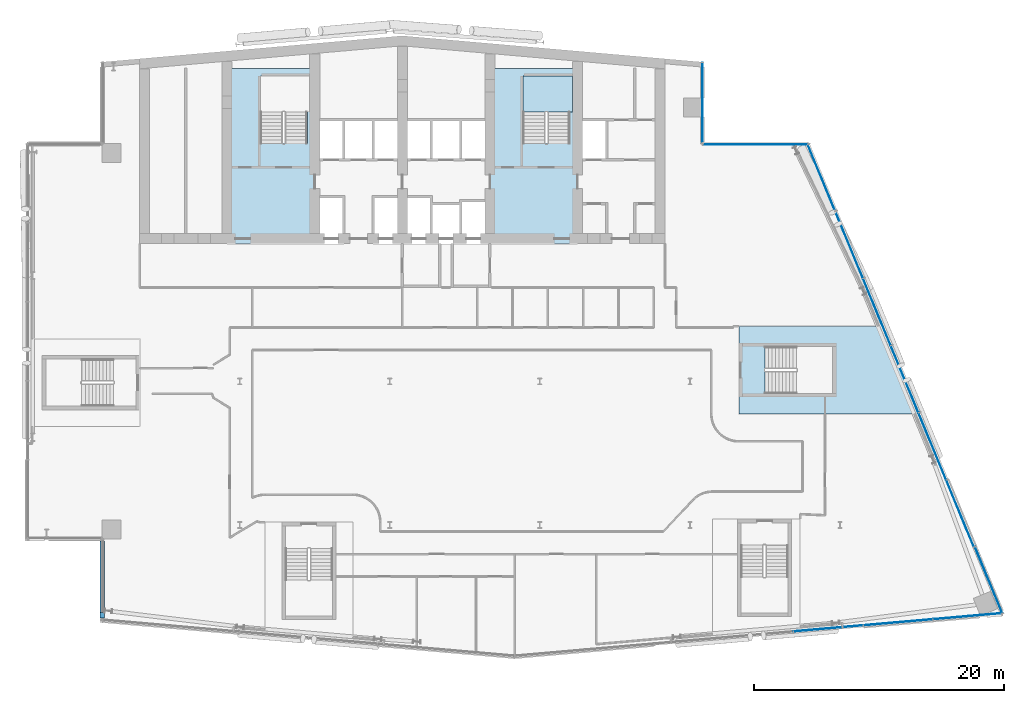
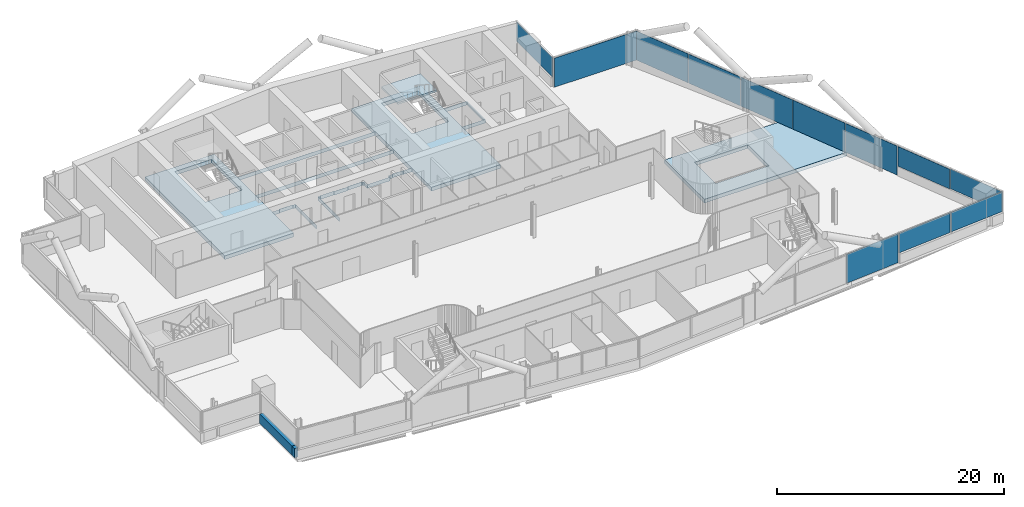
# One storey, part 14 of 29: 12 plates, 3 slabs, 2 walls, 5 elements without a shape of their own.
"""IFC4 building model written with IfcOpenShell, lengths in metres."""

from ifc_helpers import new_model, si_unit, direction, frame, frame_2d, origin, origin_2d, place, context, subcontext, project, spatial, polyline, rectangle, outline, extrude, material, layer, layer_set, type_object, element, aggregate, save


model = new_model("IFC4")

# Units and contexts
model_context = context("Model", 3, precision=1e-05, world=origin(), true_north=direction((0.0, 1.0)))
body_context = subcontext(model_context, "Body", "Model", "MODEL_VIEW")
ifc_project = project(units=[si_unit("LENGTHUNIT", "METRE"), si_unit("AREAUNIT", "SQUARE_METRE"), si_unit("VOLUMEUNIT", "CUBIC_METRE"), si_unit("PLANEANGLEUNIT", "RADIAN"), si_unit("MASSUNIT", "GRAM", prefix="KILO")], contexts=[model_context])

# Site, building, storey
site_placement = place(None, origin())
site = spatial("IfcSite", under=ifc_project, at=site_placement, CompositionType="ELEMENT")
building_placement = place(site_placement, origin())
building = spatial("IfcBuilding", under=site, at=building_placement, Name="Wharfspan Tower", CompositionType="ELEMENT")
storey_placement = place(building_placement, frame((0.0, 0.0, 162.699951)))
storey = spatial("IfcBuildingStorey", under=building, at=storey_placement, Name="L39", CompositionType="ELEMENT", Elevation=162.699951)

# Curtain wall, plates
ifc_material_1 = material(Name="Aluminium 6063-T6", Category="aluminium")
curtain_wall_type_1 = type_object("IfcCurtainWallType", Name="CURTAIN WALL FACETED FRONT", PredefinedType="NOTDEFINED", material=ifc_material_1)
curtain_wall_1_placement = place(storey_placement, origin())
curtain_wall_1 = element("IfcCurtainWall", 1, at=curtain_wall_1_placement, inside=storey, type_object=curtain_wall_type_1, Name="Curtain wall S2", PredefinedType="NOTDEFINED")
ifc_material_2 = material(Name="Glass clear low-iron double glazing", Category="glass")
ifc_layer_1 = layer(ifc_material_2, 0.040039)
ifc_layer_set_1 = layer_set([ifc_layer_1], Name="Glass clear low-iron double glazing")
plate_type_1 = type_object("IfcPlateType", Name="GLASS PANEL FACETED FRONT 40", PredefinedType="CURTAIN_PANEL", material=ifc_layer_set_1)
plate_1_placement = place(storey_placement, frame((76.637695, 3.728516, 1.0), z_axis=(0.0, 0.0, 1.0), x_axis=(0.996198, 0.087156, 0.0)))
plate_1 = element("IfcPlate", 2, at=plate_1_placement, type_object=plate_type_1, Name="Curtain wall S2 panel 6", PredefinedType="CURTAIN_PANEL", context=body_context, shape_type="SweptSolid", body=[
    extrude(rectangle(XDim=5.532715, YDim=0.040039, at=origin_2d()), origin(), (0.0, 0.0, 1.0), 2.120117),
])
plate_2_placement = place(storey_placement, frame((82.194092, 4.214844, 1.0), z_axis=(0.0, 0.0, 1.0), x_axis=(0.996198, 0.087156, 0.0)))
plate_2 = element("IfcPlate", 3, at=plate_2_placement, type_object=plate_type_1, Name="Curtain wall S2 panel 7", PredefinedType="CURTAIN_PANEL", context=body_context, shape_type="SweptSolid", body=[
    extrude(rectangle(XDim=5.502686, YDim=0.040039, at=origin_2d()), origin(), (0.0, 0.0, 1.0), 2.120117),
])

curtain_wall_type_2 = type_object("IfcCurtainWallType", Name="CURTAIN WALL PROW AND END", PredefinedType="NOTDEFINED", material=ifc_material_1)
curtain_wall_2_placement = place(storey_placement, origin())
curtain_wall_2 = element("IfcCurtainWall", 4, at=curtain_wall_2_placement, inside=storey, type_object=curtain_wall_type_2, Name="Curtain wall E", PredefinedType="NOTDEFINED")
ifc_layer_2 = layer(ifc_material_2, 0.040039)
ifc_layer_set_2 = layer_set([ifc_layer_2], Name="Glass clear low-iron double glazing")
plate_type_2 = type_object("IfcPlateType", Name="GLASS PANEL PROW AND END 40", PredefinedType="CURTAIN_PANEL", material=ifc_layer_set_2)
plate_3_placement = place(storey_placement, frame((83.885498, 7.099609, 1.0), z_axis=(0.0, 0.0, 1.0), x_axis=(-0.381602, 0.924325, 0.0)))
plate_3 = element("IfcPlate", 5, at=plate_3_placement, type_object=plate_type_2, Name="Curtain wall E panel 1", PredefinedType="CURTAIN_PANEL", context=body_context, shape_type="SweptSolid", body=[
    extrude(rectangle(XDim=5.721191, YDim=0.040039, at=origin_2d()), origin(), (0.0, 0.0, 1.0), 2.120117),
])
plate_4_placement = place(storey_placement, frame((81.599609, 12.426514, 1.0), z_axis=(0.0, 0.0, 1.0), x_axis=(-0.381602, 0.924325, 0.0)))
plate_4 = element("IfcPlate", 6, at=plate_4_placement, type_object=plate_type_2, Name="Curtain wall E panel 2", PredefinedType="CURTAIN_PANEL", context=body_context, shape_type="SweptSolid", body=[
    extrude(rectangle(XDim=5.751221, YDim=0.040039, at=origin_2d()), origin(), (0.0, 0.0, 1.0), 2.120117),
])

# Curtain wall, plate
curtain_wall_3_placement = place(storey_placement, origin())
curtain_wall_3 = element("IfcCurtainWall", 7, at=curtain_wall_3_placement, inside=storey, type_object=curtain_wall_type_2, Name="Curtain wall NRE-V", PredefinedType="NOTDEFINED")
plate_5_placement = place(storey_placement, frame((61.0, 45.262451, 1.0), z_axis=(0.0, 0.0, 1.0), x_axis=(0.0, 1.0, 0.0)))
plate_5 = element("IfcPlate", 8, at=plate_5_placement, type_object=plate_type_2, Name="Curtain wall NRE-V panel 1", PredefinedType="CURTAIN_PANEL", context=body_context, shape_type="SweptSolid", body=[
    extrude(rectangle(XDim=6.405029, YDim=0.040039, at=origin_2d()), origin(), (0.0, 0.0, 1.0), 2.120117),
])
aggregate(curtain_wall_3, [plate_5])

# Plate
ifc_material_3 = material(Name="Aluminium composite opaque insulated panel", Category="aluminium")
ifc_layer_3 = layer(ifc_material_3, 0.040039)
ifc_layer_set_3 = layer_set([ifc_layer_3], Name="Aluminium composite opaque insulated panel")
plate_type_3 = type_object("IfcPlateType", Name="INFILL PANEL FACETED FRONT OPAQUE 40", PredefinedType="SHEET", material=ifc_layer_set_3)
plate_6_placement = place(storey_placement, frame((71.066162, 3.241211, 0.0), z_axis=(0.0, 0.0, 1.0), x_axis=(0.996198, 0.087156, 0.0)))
plate_6 = element("IfcPlate", 9, at=plate_6_placement, type_object=plate_type_3, Name="Curtain wall S2 panel 5", PredefinedType="SHEET", context=body_context, shape_type="SweptSolid", body=[
    extrude(rectangle(XDim=5.532715, YDim=0.040039, at=origin_2d()), origin(), (0.0, 0.0, 1.0), 3.120117),
])

aggregate(curtain_wall_1, [plate_6, plate_1, plate_2])

ifc_layer_4 = layer(ifc_material_3, 0.040039)
ifc_layer_set_4 = layer_set([ifc_layer_4], Name="Aluminium composite opaque insulated panel")
plate_type_4 = type_object("IfcPlateType", Name="INFILL PANEL PROW AND END OPAQUE 40", PredefinedType="SHEET", material=ifc_layer_set_4)
plate_7_placement = place(storey_placement, frame((79.38208, 17.798096, 0.0), z_axis=(0.0, 0.0, 1.0), x_axis=(-0.381602, 0.924325, 0.0)))
plate_7 = element("IfcPlate", 10, at=plate_7_placement, type_object=plate_type_4, Name="Curtain wall E panel 3", PredefinedType="SHEET", context=body_context, shape_type="SweptSolid", body=[
    extrude(rectangle(XDim=5.751221, YDim=0.040039, at=origin_2d()), origin(), (0.0, 0.0, 1.0), 3.120117),
])

plate_8_placement = place(storey_placement, frame((77.164551, 23.169434, 0.0), z_axis=(0.0, 0.0, 1.0), x_axis=(-0.381602, 0.924325, 0.0)))
plate_8 = element("IfcPlate", 11, at=plate_8_placement, type_object=plate_type_4, Name="Curtain wall E panel 4", PredefinedType="SHEET", context=body_context, shape_type="SweptSolid", body=[
    extrude(rectangle(XDim=5.751221, YDim=0.040039, at=origin_2d()), origin(), (0.0, 0.0, 1.0), 3.120117),
])

plate_9_placement = place(storey_placement, frame((74.947021, 28.541016, 0.0), z_axis=(0.0, 0.0, 1.0), x_axis=(-0.381602, 0.924325, 0.0)))
plate_9 = element("IfcPlate", 12, at=plate_9_placement, type_object=plate_type_4, Name="Curtain wall E panel 5", PredefinedType="SHEET", context=body_context, shape_type="SweptSolid", body=[
    extrude(rectangle(XDim=5.751221, YDim=0.040039, at=origin_2d()), origin(), (0.0, 0.0, 1.0), 3.120117),
])

plate_10_placement = place(storey_placement, frame((72.729492, 33.912354, 0.0), z_axis=(0.0, 0.0, 1.0), x_axis=(-0.381602, 0.924325, 0.0)))
plate_10 = element("IfcPlate", 13, at=plate_10_placement, type_object=plate_type_4, Name="Curtain wall E panel 6", PredefinedType="SHEET", context=body_context, shape_type="SweptSolid", body=[
    extrude(rectangle(XDim=5.751221, YDim=0.040039, at=origin_2d()), origin(), (0.0, 0.0, 1.0), 3.120117),
])

plate_11_placement = place(storey_placement, frame((70.517578, 39.269775, 0.0), z_axis=(0.0, 0.0, 1.0), x_axis=(-0.381602, 0.924325, 0.0)))
plate_11 = element("IfcPlate", 14, at=plate_11_placement, type_object=plate_type_4, Name="Curtain wall E panel 7", PredefinedType="SHEET", context=body_context, shape_type="SweptSolid", body=[
    extrude(rectangle(XDim=5.721191, YDim=0.040039, at=origin_2d()), origin(), (0.0, 0.0, 1.0), 3.120117),
])

aggregate(curtain_wall_2, [plate_3, plate_4, plate_7, plate_8, plate_9, plate_10, plate_11])

# Curtain wall, plate
curtain_wall_4_placement = place(storey_placement, origin())
curtain_wall_4 = element("IfcCurtainWall", 15, at=curtain_wall_4_placement, inside=storey, type_object=curtain_wall_type_2, Name="Curtain wall NRE-H", PredefinedType="NOTDEFINED")
plate_12_placement = place(storey_placement, frame((65.238525, 41.919922, 0.0), z_axis=(0.0, 0.0, 1.0), x_axis=(-1.0, 0.0, 0.0)))
plate_12 = element("IfcPlate", 16, at=plate_12_placement, type_object=plate_type_4, Name="Curtain wall NRE-H panel 1", PredefinedType="SHEET", context=body_context, shape_type="SweptSolid", body=[
    extrude(rectangle(XDim=8.357178, YDim=0.040039, at=origin_2d()), origin(), (0.0, 0.0, 1.0), 3.120117),
])
aggregate(curtain_wall_4, [plate_12])

# Slabs
ifc_material_4 = material(Name="Concrete C40/50", Category="concrete")
ifc_layer_5 = layer(ifc_material_4, 0.399902)
ifc_layer_set_5 = layer_set([ifc_layer_5], Name="Concrete C40/50")
slab_type_1 = type_object("IfcSlabType", Name="Post-tensioned flat slab 400", PredefinedType="FLOOR", material=ifc_layer_set_5)
slab_1_placement = place(storey_placement, frame((0.0, 0.0, -0.400146)))
element("IfcSlab", 17, at=slab_1_placement, inside=storey, type_object=slab_type_1, Name="Core floor slab L39 part 3", PredefinedType="FLOOR", context=body_context, shape_type="SweptSolid", body=[
    extrude(outline(polyline([(23.0, 34.0), (29.998047, 34.0), (29.998047, 37.75), (29.998047, 37.750244), (29.998047, 37.750488), (29.998047, 37.750488), (29.998291, 37.750732), (29.998291, 37.750977), (29.998291, 37.751221), (29.998535, 37.751221), (29.998535, 37.751465), (29.998779, 37.751465), (29.998779, 37.751709), (29.999023, 37.751709), (29.999268, 37.751709), (29.999512, 37.751953), (29.999512, 37.751953), (29.999756, 37.751953), (30.0, 37.751953), (30.7146, 37.751953), (30.7146, 37.800049), (30.7146, 37.800293), (30.7146, 37.800293), (30.714844, 37.800537), (30.714844, 37.800781), (30.714844, 37.800781), (30.715088, 37.801025), (30.715088, 37.80127), (30.715332, 37.801514), (30.715332, 37.801514), (30.715576, 37.801758), (30.71582, 37.801758), (30.71582, 37.801758), (30.716064, 37.802002), (30.716309, 37.802002), (30.716553, 37.802002), (30.716797, 37.802002), (32.116699, 37.802002), (32.116943, 37.802002), (32.117188, 37.802002), (32.117188, 37.802002), (32.117432, 37.801758), (32.117676, 37.801758), (32.11792, 37.801758), (32.11792, 37.801514), (32.118164, 37.801514), (32.118164, 37.80127), (32.118408, 37.801025), (32.118408, 37.800781), (32.118408, 37.800781), (32.118652, 37.800537), (32.118652, 37.800293), (32.118652, 37.800293), (32.118652, 37.800049), (32.118652, 37.751953), (32.333252, 37.751953), (32.333496, 37.751953), (32.33374, 37.751953), (32.333984, 37.751953), (32.333984, 37.751709), (32.334229, 37.751709), (32.334473, 37.751709), (32.334717, 37.751465), (32.334717, 37.751465), (32.334961, 37.751221), (32.334961, 37.751221), (32.335205, 37.750977), (32.335205, 37.750732), (32.335205, 37.750488), (32.335205, 37.750488), (32.335205, 37.750244), (32.335205, 37.75), (32.335205, 34.0), (32.341309, 34.0), (32.341309, 37.758057), (32.126709, 37.758057), (32.126465, 37.758057), (32.126221, 37.758057), (32.126221, 37.758057), (32.125977, 37.758301), (32.125732, 37.758301), (32.125488, 37.758301), (32.125488, 37.758545), (32.125244, 37.758545), (32.125244, 37.758789), (32.125, 37.758789), (32.125, 37.759033), (32.125, 37.759277), (32.124756, 37.759521), (32.124756, 37.759521), (32.124756, 37.759766), (32.124756, 37.76001), (32.124756, 37.808105), (30.70874, 37.808105), (30.70874, 37.76001), (30.70874, 37.759766), (30.70874, 37.759521), (30.708496, 37.759521), (30.708496, 37.759277), (30.708496, 37.759033), (30.708496, 37.758789), (30.708252, 37.758789), (30.708008, 37.758545), (30.708008, 37.758545), (30.707764, 37.758301), (30.70752, 37.758301), (30.70752, 37.758301), (30.707275, 37.758057), (30.707031, 37.758057), (30.706787, 37.758057), (30.706787, 37.758057), (30.01001, 37.758057), (30.009766, 37.758057), (30.009521, 37.758057), (30.009521, 37.758057), (30.009277, 37.758301), (30.009033, 37.758301), (30.008789, 37.758301), (30.008789, 37.758545), (30.008545, 37.758545), (30.008545, 37.758789), (30.008301, 37.758789), (30.008301, 37.759033), (30.008301, 37.759277), (30.008057, 37.759521), (30.008057, 37.759521), (30.008057, 37.759766), (30.008057, 37.76001), (30.008057, 40.689941), (30.008057, 40.690186), (30.008057, 40.69043), (30.008057, 40.690674), (30.008301, 40.690918), (30.008301, 40.690918), (30.008301, 40.691162), (30.008545, 40.691406), (30.008545, 40.691406), (30.008789, 40.691406), (30.008789, 40.69165), (30.009033, 40.691895), (30.009277, 40.691895), (30.009521, 40.691895), (30.009521, 40.691895), (30.009766, 40.691895), (30.01001, 40.691895), (43.98999, 40.691895), (43.990234, 40.691895), (43.990479, 40.691895), (43.990479, 40.691895), (43.990723, 40.691895), (43.990967, 40.691895), (43.991211, 40.69165), (43.991211, 40.691406), (43.991455, 40.691406), (43.991455, 40.691406), (43.991699, 40.691162), (43.991699, 40.690918), (43.991699, 40.690918), (43.991943, 40.690674), (43.991943, 40.69043), (43.991943, 40.690186), (43.991943, 40.689941), (43.991943, 37.459961), (43.991943, 37.459717), (43.991943, 37.459717), (43.991943, 37.459473), (43.991699, 37.459229), (43.991699, 37.458984), (43.991699, 37.458984), (43.991455, 37.45874), (43.991455, 37.458496), (43.991211, 37.458496), (43.991211, 37.458252), (43.990967, 37.458252), (43.990723, 37.458252), (43.990479, 37.458008), (43.990479, 37.458008), (43.990234, 37.458008), (43.98999, 37.458008), (43.143311, 37.458008), (43.143066, 37.458008), (43.142822, 37.458008), (43.142578, 37.458008), (43.142578, 37.458252), (43.142334, 37.458252), (43.14209, 37.458252), (43.14209, 37.458496), (43.141846, 37.458496), (43.141846, 37.45874), (43.141602, 37.458984), (43.141602, 37.458984), (43.141602, 37.459229), (43.141357, 37.459473), (43.141357, 37.459717), (43.141357, 37.459717), (43.141357, 37.459961), (43.141357, 37.508057), (42.025391, 37.508057), (42.025391, 37.459961), (42.025391, 37.459717), (42.025391, 37.459717), (42.025146, 37.459473), (42.025146, 37.459229), (42.025146, 37.458984), (42.024902, 37.458984), (42.024902, 37.45874), (42.024658, 37.458496), (42.024658, 37.458496), (42.024414, 37.458252), (42.02417, 37.458252), (42.02417, 37.458252), (42.023926, 37.458008), (42.023682, 37.458008), (42.023438, 37.458008), (42.023193, 37.458008), (41.658691, 37.458008), (41.658691, 37.209961), (41.658691, 37.209717), (41.658691, 37.209717), (41.658691, 37.209473), (41.658447, 37.209229), (41.658447, 37.208984), (41.658447, 37.208984), (41.658203, 37.20874), (41.658203, 37.208496), (41.657959, 37.208496), (41.657715, 37.208252), (41.657715, 37.208252), (41.657471, 37.208252), (41.657227, 37.208008), (41.656982, 37.208008), (41.656982, 37.208008), (41.656738, 37.208008), (39.343262, 37.208008), (39.343018, 37.208008), (39.343018, 37.208008), (39.342773, 37.208008), (39.342529, 37.208252), (39.342285, 37.208252), (39.342285, 37.208252), (39.342041, 37.208496), (39.341797, 37.208496), (39.341797, 37.20874), (39.341553, 37.208984), (39.341553, 37.208984), (39.341553, 37.209229), (39.341309, 37.209473), (39.341309, 37.209717), (39.341309, 37.209717), (39.341309, 37.209961), (39.341309, 37.758057), (39.166748, 37.758057), (39.166504, 37.758057), (39.16626, 37.758057), (39.166016, 37.758057), (39.166016, 37.758301), (39.165771, 37.758301), (39.165527, 37.758301), (39.165283, 37.758545), (39.165283, 37.758545), (39.165283, 37.758789), (39.165039, 37.758789), (39.164795, 37.759033), (39.164795, 37.759277), (39.164795, 37.759521), (39.164795, 37.759521), (39.164795, 37.759766), (39.164795, 37.76001), (39.164795, 37.808105), (37.668701, 37.808105), (37.668701, 37.76001), (37.668701, 37.759766), (37.668701, 37.759521), (37.668701, 37.759521), (37.668457, 37.759277), (37.668457, 37.759033), (37.668457, 37.758789), (37.668213, 37.758789), (37.668213, 37.758545), (37.667969, 37.758545), (37.667725, 37.758301), (37.66748, 37.758301), (37.66748, 37.758301), (37.667236, 37.758057), (37.666992, 37.758057), (37.666992, 37.758057), (37.666748, 37.758057), (36.293213, 37.758057), (36.293213, 37.758057), (36.292969, 37.758057), (36.292725, 37.758057), (36.29248, 37.758301), (36.29248, 37.758301), (36.292236, 37.758301), (36.291992, 37.758545), (36.291992, 37.758545), (36.291748, 37.758789), (36.291504, 37.758789), (36.291504, 37.759033), (36.291504, 37.759277), (36.291504, 37.759521), (36.29126, 37.759521), (36.29126, 37.759766), (36.29126, 37.76001), (36.29126, 37.808105), (34.875244, 37.808105), (34.875244, 37.76001), (34.875244, 37.759766), (34.875244, 37.759521), (34.875244, 37.759521), (34.875, 37.759277), (34.875, 37.759033), (34.875, 37.758789), (34.874756, 37.758789), (34.874756, 37.758545), (34.874512, 37.758545), (34.874512, 37.758301), (34.874268, 37.758301), (34.874023, 37.758301), (34.873779, 37.758057), (34.873779, 37.758057), (34.873535, 37.758057), (34.873291, 37.758057), (34.658691, 37.758057), (34.658691, 34.0), (34.664795, 34.0), (34.664795, 37.75), (34.664795, 37.750244), (34.664795, 37.750488), (34.664795, 37.750488), (34.664795, 37.750732), (34.664795, 37.750977), (34.665039, 37.751221), (34.665039, 37.751221), (34.665283, 37.751465), (34.665283, 37.751465), (34.665527, 37.751709), (34.665771, 37.751709), (34.666016, 37.751709), (34.666016, 37.751953), (34.66626, 37.751953), (34.666504, 37.751953), (34.666748, 37.751953), (34.881348, 37.751953), (34.881348, 37.800049), (34.881348, 37.800293), (34.881348, 37.800293), (34.881348, 37.800537), (34.881592, 37.800781), (34.881592, 37.800781), (34.881592, 37.801025), (34.881836, 37.80127), (34.881836, 37.801514), (34.88208, 37.801514), (34.88208, 37.801758), (34.882324, 37.801758), (34.882568, 37.801758), (34.882812, 37.802002), (34.882812, 37.802002), (34.883057, 37.802002), (34.883301, 37.802002), (36.283203, 37.802002), (36.283447, 37.802002), (36.283691, 37.802002), (36.283936, 37.802002), (36.28418, 37.801758), (36.28418, 37.801758), (36.284424, 37.801758), (36.284668, 37.801514), (36.284668, 37.801514), (36.284912, 37.80127), (36.284912, 37.801025), (36.285156, 37.800781), (36.285156, 37.800781), (36.285156, 37.800537), (36.2854, 37.800293), (36.2854, 37.800293), (36.2854, 37.800049), (36.2854, 37.751953), (37.674805, 37.751953), (37.674805, 37.800049), (37.674805, 37.800293), (37.674805, 37.800293), (37.674805, 37.800537), (37.674805, 37.800781), (37.674805, 37.800781), (37.675049, 37.801025), (37.675049, 37.80127), (37.675293, 37.801514), (37.675293, 37.801514), (37.675537, 37.801758), (37.675781, 37.801758), (37.675781, 37.801758), (37.676025, 37.802002), (37.67627, 37.802002), (37.676514, 37.802002), (37.676758, 37.802002), (39.156738, 37.802002), (39.156982, 37.802002), (39.156982, 37.802002), (39.157227, 37.802002), (39.157471, 37.801758), (39.157715, 37.801758), (39.157715, 37.801758), (39.157959, 37.801514), (39.158203, 37.801514), (39.158203, 37.80127), (39.158203, 37.801025), (39.158447, 37.800781), (39.158447, 37.800781), (39.158691, 37.800537), (39.158691, 37.800293), (39.158691, 37.800293), (39.158691, 37.800049), (39.158691, 37.751953), (39.333252, 37.751953), (39.333496, 37.751953), (39.33374, 37.751953), (39.333984, 37.751953), (39.333984, 37.751709), (39.334229, 37.751709), (39.334473, 37.751709), (39.334717, 37.751465), (39.334717, 37.751465), (39.334961, 37.751221), (39.334961, 37.751221), (39.335205, 37.750977), (39.335205, 37.750732), (39.335205, 37.750488), (39.335205, 37.750488), (39.335205, 37.750244), (39.335205, 37.75), (39.335205, 37.201904), (41.664795, 37.201904), (41.664795, 37.449951), (41.664795, 37.450195), (41.664795, 37.450439), (41.664795, 37.450684), (41.664795, 37.450684), (41.664795, 37.450928), (41.665039, 37.451172), (41.665039, 37.451416), (41.665283, 37.451416), (41.665283, 37.451416), (41.665527, 37.45166), (41.665771, 37.451904), (41.666016, 37.451904), (41.666016, 37.451904), (41.66626, 37.451904), (41.666504, 37.451904), (41.666748, 37.451904), (42.03125, 37.451904), (42.03125, 37.5), (42.03125, 37.500244), (42.031494, 37.500488), (42.031494, 37.500488), (42.031494, 37.500732), (42.031494, 37.500977), (42.031738, 37.501221), (42.031738, 37.501221), (42.031982, 37.501465), (42.031982, 37.501465), (42.032227, 37.501709), (42.032471, 37.501709), (42.032715, 37.501709), (42.032715, 37.501953), (42.032959, 37.501953), (42.033203, 37.501953), (42.033203, 37.501953), (43.133301, 37.501953), (43.133545, 37.501953), (43.133789, 37.501953), (43.133789, 37.501953), (43.134033, 37.501709), (43.134277, 37.501709), (43.134521, 37.501709), (43.134521, 37.501465), (43.134766, 37.501465), (43.13501, 37.501221), (43.13501, 37.501221), (43.13501, 37.500977), (43.135254, 37.500732), (43.135254, 37.500488), (43.135254, 37.500488), (43.135254, 37.500244), (43.135254, 37.5), (43.135254, 37.451904), (44.0, 37.451904), (44.000244, 37.451904), (44.000488, 37.451904), (44.000488, 37.451904), (44.000732, 37.451904), (44.000977, 37.451904), (44.001221, 37.45166), (44.001221, 37.451416), (44.001465, 37.451416), (44.001465, 37.451416), (44.001709, 37.451172), (44.001709, 37.450928), (44.001709, 37.450684), (44.001953, 37.450684), (44.001953, 37.450439), (44.001953, 37.450195), (44.001953, 37.449951), (44.001953, 34.0), (51.0, 34.0), (51.008057, 34.0), (51.008057, 40.689941), (51.008057, 40.690186), (51.008057, 40.69043), (51.008057, 40.690674), (51.008301, 40.690918), (51.008301, 40.690918), (51.008301, 40.691162), (51.008545, 40.691406), (51.008545, 40.691406), (51.008789, 40.691406), (51.008789, 40.69165), (51.009033, 40.691895), (51.009277, 40.691895), (51.009521, 40.691895), (51.009521, 40.691895), (51.009766, 40.691895), (51.01001, 40.691895), (53.341309, 40.691895), (53.341309, 43.907959), (51.01001, 43.907959), (51.009766, 43.907959), (51.009521, 43.907959), (51.009521, 43.908203), (51.009277, 43.908203), (51.009033, 43.908203), (51.008789, 43.908203), (51.008789, 43.908447), (51.008545, 43.908691), (51.008545, 43.908691), (51.008301, 43.908936), (51.008301, 43.90918), (51.008301, 43.90918), (51.008057, 43.909424), (51.008057, 43.909668), (51.008057, 43.909912), (51.008057, 43.909912), (51.008057, 48.008057), (43.991943, 48.008057), (43.991943, 43.909912), (43.991943, 43.909912), (43.991943, 43.909668), (43.991943, 43.909424), (43.991699, 43.90918), (43.991699, 43.90918), (43.991699, 43.908936), (43.991455, 43.908691), (43.991455, 43.908691), (43.991211, 43.908447), (43.991211, 43.908203), (43.990967, 43.908203), (43.990723, 43.908203), (43.990479, 43.908203), (43.990479, 43.907959), (43.990234, 43.907959), (43.98999, 43.907959), (30.01001, 43.907959), (30.009766, 43.907959), (30.009521, 43.907959), (30.009521, 43.908203), (30.009277, 43.908203), (30.009033, 43.908203), (30.008789, 43.908203), (30.008789, 43.908447), (30.008545, 43.908691), (30.008545, 43.908691), (30.008301, 43.908936), (30.008301, 43.90918), (30.008301, 43.90918), (30.008057, 43.909424), (30.008057, 43.909668), (30.008057, 43.909912), (30.008057, 43.909912), (30.008057, 48.008057), (22.991943, 48.008057), (22.991943, 34.0), (23.0, 34.0)]), holes=[polyline([(53.333252, 43.9021), (53.333496, 43.9021), (53.33374, 43.9021), (53.333984, 43.901855), (53.333984, 43.901855), (53.334229, 43.901855), (53.334473, 43.901611), (53.334717, 43.901611), (53.334717, 43.901367), (53.334961, 43.901367), (53.334961, 43.901123), (53.335205, 43.900879), (53.335205, 43.900879), (53.335205, 43.900635), (53.335205, 43.900391), (53.335205, 43.900146), (53.335205, 43.899902), (53.335205, 40.699951), (53.335205, 40.699707), (53.335205, 40.699707), (53.335205, 40.699463), (53.335205, 40.699219), (53.335205, 40.699219), (53.334961, 40.698975), (53.334961, 40.69873), (53.334717, 40.698486), (53.334717, 40.698486), (53.334473, 40.698242), (53.334229, 40.698242), (53.333984, 40.698242), (53.333984, 40.697998), (53.33374, 40.697998), (53.333496, 40.697998), (53.333252, 40.697998), (51.0, 40.697998), (50.999756, 40.697998), (50.999512, 40.697998), (50.999512, 40.697998), (50.999268, 40.698242), (50.999023, 40.698242), (50.998779, 40.698242), (50.998779, 40.698486), (50.998535, 40.698486), (50.998535, 40.69873), (50.998291, 40.698975), (50.998291, 40.699219), (50.998291, 40.699219), (50.998047, 40.699463), (50.998047, 40.699707), (50.998047, 40.699707), (50.998047, 40.699951), (50.998047, 43.899902), (50.998047, 43.900146), (50.998047, 43.900391), (50.998047, 43.900635), (50.998291, 43.900879), (50.998291, 43.900879), (50.998291, 43.901123), (50.998535, 43.901367), (50.998535, 43.901367), (50.998779, 43.901611), (50.998779, 43.901611), (50.999023, 43.901855), (50.999268, 43.901855), (50.999512, 43.901855), (50.999512, 43.9021), (50.999756, 43.9021), (51.0, 43.9021), (53.333252, 43.9021)]), polyline([(46.649902, 41.998047), (46.649902, 41.998047), (46.649658, 41.998047), (46.649414, 41.998047), (46.64917, 41.998291), (46.64917, 41.998291), (46.648926, 41.998291), (46.648682, 41.998535), (46.648682, 41.998535), (46.648438, 41.998779), (46.648193, 41.998779), (46.648193, 41.999023), (46.648193, 41.999268), (46.648193, 41.999512), (46.647949, 41.999512), (46.647949, 41.999756), (46.647949, 42.0), (46.647949, 47.399902), (46.647949, 47.400146), (46.647949, 47.400391), (46.648193, 47.400635), (46.648193, 47.400879), (46.648193, 47.400879), (46.648193, 47.401123), (46.648438, 47.401367), (46.648682, 47.401367), (46.648682, 47.401611), (46.648926, 47.401611), (46.64917, 47.401855), (46.64917, 47.401855), (46.649414, 47.401855), (46.649658, 47.4021), (46.649902, 47.4021), (46.649902, 47.4021), (50.399902, 47.4021), (50.400146, 47.4021), (50.400391, 47.4021), (50.400635, 47.401855), (50.400879, 47.401855), (50.400879, 47.401855), (50.401123, 47.401611), (50.401367, 47.401611), (50.401367, 47.401367), (50.401611, 47.401367), (50.401611, 47.401123), (50.401855, 47.400879), (50.401855, 47.400879), (50.401855, 47.400635), (50.4021, 47.400391), (50.4021, 47.400146), (50.4021, 47.399902), (50.4021, 42.0), (50.4021, 41.999756), (50.4021, 41.999512), (50.401855, 41.999512), (50.401855, 41.999268), (50.401855, 41.999023), (50.401611, 41.998779), (50.401611, 41.998779), (50.401367, 41.998535), (50.401367, 41.998535), (50.401123, 41.998291), (50.400879, 41.998291), (50.400879, 41.998291), (50.400635, 41.998047), (50.400391, 41.998047), (50.400146, 41.998047), (50.399902, 41.998047), (46.649902, 41.998047)]), polyline([(44.0, 43.9021), (44.000244, 43.9021), (44.000488, 43.9021), (44.000488, 43.901855), (44.000732, 43.901855), (44.000977, 43.901855), (44.001221, 43.901611), (44.001221, 43.901611), (44.001465, 43.901367), (44.001465, 43.901367), (44.001709, 43.901123), (44.001709, 43.900879), (44.001709, 43.900879), (44.001953, 43.900635), (44.001953, 43.900391), (44.001953, 43.900146), (44.001953, 43.899902), (44.001953, 40.699951), (44.001953, 40.699707), (44.001953, 40.699707), (44.001953, 40.699463), (44.001709, 40.699219), (44.001709, 40.699219), (44.001709, 40.698975), (44.001465, 40.69873), (44.001465, 40.698486), (44.001221, 40.698486), (44.001221, 40.698242), (44.000977, 40.698242), (44.000732, 40.698242), (44.000488, 40.697998), (44.000488, 40.697998), (44.000244, 40.697998), (44.0, 40.697998), (30.0, 40.697998), (29.999756, 40.697998), (29.999512, 40.697998), (29.999512, 40.697998), (29.999268, 40.698242), (29.999023, 40.698242), (29.998779, 40.698242), (29.998779, 40.698486), (29.998535, 40.698486), (29.998535, 40.69873), (29.998291, 40.698975), (29.998291, 40.699219), (29.998291, 40.699219), (29.998047, 40.699463), (29.998047, 40.699707), (29.998047, 40.699707), (29.998047, 40.699951), (29.998047, 43.899902), (29.998047, 43.900146), (29.998047, 43.900391), (29.998047, 43.900635), (29.998291, 43.900879), (29.998291, 43.900879), (29.998291, 43.901123), (29.998535, 43.901367), (29.998535, 43.901367), (29.998779, 43.901611), (29.998779, 43.901611), (29.999023, 43.901855), (29.999268, 43.901855), (29.999512, 43.901855), (29.999512, 43.9021), (29.999756, 43.9021), (30.0, 43.9021), (44.0, 43.9021)]), polyline([(29.4021, 42.0), (29.4021, 41.999756), (29.4021, 41.999512), (29.401855, 41.999512), (29.401855, 41.999268), (29.401855, 41.999023), (29.401611, 41.998779), (29.401611, 41.998779), (29.401367, 41.998535), (29.401367, 41.998535), (29.401123, 41.998291), (29.400879, 41.998291), (29.400879, 41.998291), (29.400635, 41.998047), (29.400391, 41.998047), (29.400146, 41.998047), (29.399902, 41.998047), (25.649902, 41.998047), (25.649902, 41.998047), (25.649658, 41.998047), (25.649414, 41.998047), (25.64917, 41.998291), (25.64917, 41.998291), (25.648926, 41.998291), (25.648682, 41.998535), (25.648682, 41.998535), (25.648438, 41.998779), (25.648193, 41.998779), (25.648193, 41.999023), (25.648193, 41.999268), (25.648193, 41.999512), (25.647949, 41.999512), (25.647949, 41.999756), (25.647949, 42.0), (25.647949, 47.399902), (25.647949, 47.400146), (25.647949, 47.400391), (25.648193, 47.400635), (25.648193, 47.400879), (25.648193, 47.400879), (25.648193, 47.401123), (25.648438, 47.401367), (25.648682, 47.401367), (25.648682, 47.401611), (25.648926, 47.401611), (25.64917, 47.401855), (25.64917, 47.401855), (25.649414, 47.401855), (25.649658, 47.4021), (25.649902, 47.4021), (25.649902, 47.4021), (29.399902, 47.4021), (29.400146, 47.4021), (29.400391, 47.4021), (29.400635, 47.401855), (29.400879, 47.401855), (29.400879, 47.401855), (29.401123, 47.401611), (29.401367, 47.401611), (29.401367, 47.401367), (29.401611, 47.401367), (29.401611, 47.401123), (29.401855, 47.400879), (29.401855, 47.400879), (29.401855, 47.400635), (29.4021, 47.400391), (29.4021, 47.400146), (29.4021, 47.399902), (29.4021, 42.0)])]), origin(), (0.0, 0.0, 1.0), 0.400146),
])
slab_2_placement = place(storey_placement, frame((0.0, 0.0, -0.400146)))
element("IfcSlab", 18, at=slab_2_placement, inside=storey, type_object=slab_type_1, Name="Core floor slab L39 part 5", PredefinedType="FLOOR", context=body_context, shape_type="SweptSolid", body=[
    extrude(outline(polyline([(78.394531, 20.399902), (75.504639, 27.399902), (63.904541, 27.399902), (63.904541, 20.399902), (78.394531, 20.399902)]), holes=[polyline([(66.004639, 22.022949), (66.004395, 22.022949), (66.00415, 22.022949), (66.003906, 22.023193), (66.003906, 22.023193), (66.003662, 22.023193), (66.003418, 22.023193), (66.003418, 22.023438), (66.003174, 22.023682), (66.00293, 22.023682), (66.00293, 22.023926), (66.002686, 22.02417), (66.002686, 22.02417), (66.002686, 22.024414), (66.002686, 22.024658), (66.002686, 22.024902), (66.002686, 22.024902), (66.002686, 25.774902), (66.002686, 25.775146), (66.002686, 25.775391), (66.002686, 25.775635), (66.002686, 25.775879), (66.002686, 25.775879), (66.00293, 25.776123), (66.00293, 25.776367), (66.003174, 25.776367), (66.003418, 25.776611), (66.003418, 25.776611), (66.003662, 25.776855), (66.003906, 25.776855), (66.003906, 25.776855), (66.00415, 25.7771), (66.004395, 25.7771), (66.004639, 25.7771), (71.404541, 25.7771), (71.404785, 25.7771), (71.405029, 25.7771), (71.405273, 25.776855), (71.405518, 25.776855), (71.405518, 25.776855), (71.405762, 25.776611), (71.406006, 25.776611), (71.406006, 25.776367), (71.406006, 25.776367), (71.40625, 25.776123), (71.406494, 25.775879), (71.406494, 25.775879), (71.406494, 25.775635), (71.406494, 25.775391), (71.406494, 25.775146), (71.406494, 25.774902), (71.406494, 22.024902), (71.406494, 22.024902), (71.406494, 22.024658), (71.406494, 22.024414), (71.406494, 22.02417), (71.406494, 22.02417), (71.40625, 22.023926), (71.406006, 22.023682), (71.406006, 22.023682), (71.406006, 22.023438), (71.405762, 22.023193), (71.405518, 22.023193), (71.405518, 22.023193), (71.405273, 22.023193), (71.405029, 22.022949), (71.404785, 22.022949), (71.404541, 22.022949), (66.004639, 22.022949)])]), origin(), (0.0, 0.0, 1.0), 0.400146),
])

# Stair, slab
stair_type = type_object("IfcStairType", Name="Half-turn stair 20 risers 180 mm", PredefinedType="HALF_TURN_STAIR", material=ifc_material_4)
stair_placement = place(storey_placement, origin())
stair = element("IfcStair", 19, at=stair_placement, inside=storey, type_object=stair_type, Name="L39 stair ST2", PredefinedType="HALF_TURN_STAIR")
ifc_layer_6 = layer(ifc_material_4, 0.199951)
ifc_layer_set_6 = layer_set([ifc_layer_6], Name="Concrete C40/50")
slab_type_2 = type_object("IfcSlabType", Name="Stair landing 200", PredefinedType="LANDING", material=ifc_layer_set_6)
slab_3_placement = place(storey_placement, frame((0.0, 0.0, 1.599854)))
slab_3 = element("IfcSlab", 20, at=slab_3_placement, type_object=slab_type_2, Name="ST2 landing 1", PredefinedType="LANDING", context=body_context, shape_type="SweptSolid", body=[
    extrude(outline(polyline([(46.649902, 44.52002), (50.600098, 44.52002), (50.600098, 47.399902), (46.649902, 47.399902), (46.649902, 44.52002)])), origin(), (0.0, 0.0, 1.0), 0.200195),
])
aggregate(stair, [slab_3])

# Walls
ifc_layer_7 = layer(ifc_material_4, 0.350098)
ifc_layer_set_7 = layer_set([ifc_layer_7], Name="Concrete C40/50")
wall_type = type_object("IfcWallType", Name="SPANDREL EXPOSED CONCRETE 350", PredefinedType="SOLIDWALL", material=ifc_layer_set_7)
wall_1_placement = place(storey_placement, frame((12.995117, 10.219971, 0.0), z_axis=(0.0, 0.0, 1.0), x_axis=(0.0, -1.0, 0.0)))
element("IfcWall", 21, at=wall_1_placement, inside=storey, type_object=wall_type, Name="Spandrel upstand L39 NFW-V", PredefinedType="SOLIDWALL", context=body_context, shape_type="SweptSolid", body=[
    extrude(rectangle(XDim=5.693359, YDim=0.350098, at=frame_2d((2.84668, 0.0))), origin(), (0.0, 0.0, 1.0), 1.0),
])
wall_2_placement = place(storey_placement, frame((12.995117, 4.512451, 0.0), z_axis=(0.0, 0.0, 1.0), x_axis=(0.0, -1.0, 0.0)))
element("IfcWall", 22, at=wall_2_placement, inside=storey, type_object=wall_type, Name="Spandrel upstand L39 NFW-V 2", PredefinedType="SOLIDWALL", context=body_context, shape_type="SweptSolid", body=[
    extrude(rectangle(XDim=0.453613, YDim=0.350098, at=frame_2d((0.226807, 0.0))), origin(), (0.0, 0.0, 1.0), 1.0),
])

save(model, "model.ifc")
